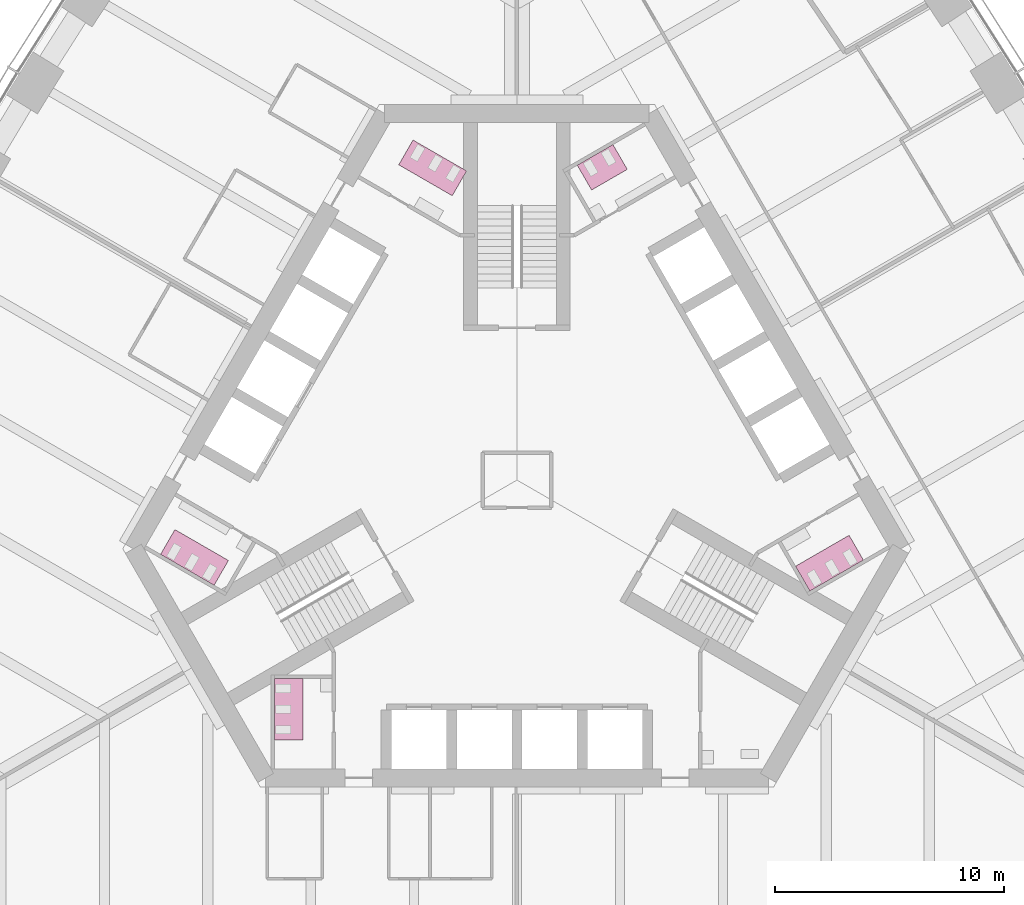
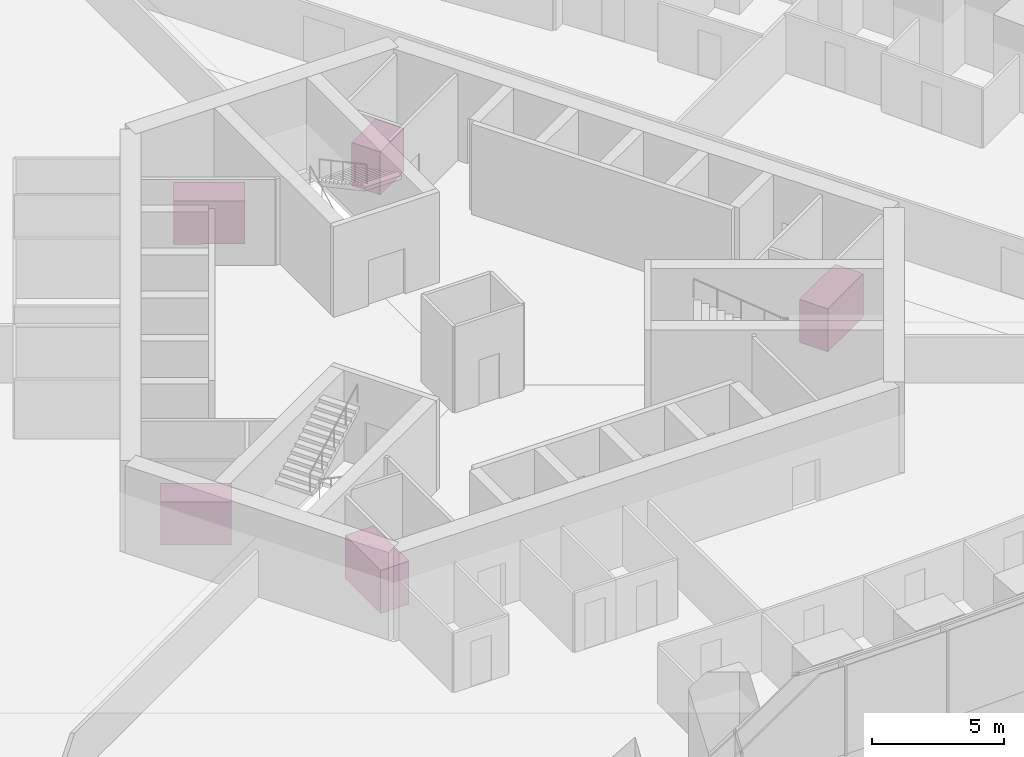
# One storey, part 18 of 18: 5 furniture elements.
"""IFC4 building model written with IfcOpenShell, lengths in metres."""

from ifc_helpers import new_model, si_unit, direction, frame, origin, place, context, subcontext, project, spatial, polyline, outline, extrude, material, type_object, element, save


model = new_model("IFC4")

# Units and contexts
model_context = context("Model", 3, precision=1e-05, world=origin(), true_north=direction((0.0, 1.0)))
body_context = subcontext(model_context, "Body", "Model", "MODEL_VIEW")
ifc_project = project(units=[si_unit("LENGTHUNIT", "METRE"), si_unit("AREAUNIT", "SQUARE_METRE"), si_unit("VOLUMEUNIT", "CUBIC_METRE"), si_unit("PLANEANGLEUNIT", "RADIAN"), si_unit("MASSUNIT", "GRAM", prefix="KILO")], contexts=[model_context])

# Site, building, storey
site_placement = place(None, origin())
site = spatial("IfcSite", under=ifc_project, at=site_placement, CompositionType="ELEMENT")
building_placement = place(site_placement, origin())
building = spatial("IfcBuilding", under=site, at=building_placement, Name="Trefoil Bronze Tower", CompositionType="ELEMENT")
storey_placement = place(building_placement, frame((0.0, 0.0, 66.89990234375)))
storey = spatial("IfcBuildingStorey", under=building, at=storey_placement, Name="L15", CompositionType="ELEMENT", Elevation=66.89990234375)

# Furniture
ifc_material_1 = material(Name="Compact laminate cubicles", Category="plastic")
furniture_type_1 = type_object("IfcFurnitureType", Name="WC cubicle range 2 cubicles", AssemblyPlace="FACTORY", PredefinedType="USERDEFINED", material=ifc_material_1)
furniture_1_placement = place(storey_placement, origin())
element("IfcFurniture", 1, at=furniture_1_placement, inside=storey, type_object=furniture_type_1, Name="WC cubicle range WC (men) L15", ObjectType="WC cubicle range", PredefinedType="USERDEFINED", context=body_context, shape_type="SweptSolid", body=[
    extrude(outline(polyline([(3.256591796875, 12.659423828125), (2.631591796875, 13.741943359375), (4.1904296875, 14.641845703125), (4.8154296875, 13.559326171875), (3.256591796875, 12.659423828125)])), origin(), (0.0, 0.0, 1.0), 2.0),
])
ifc_material_2 = material(Name="Compact laminate cubicles", Category="plastic")
furniture_type_2 = type_object("IfcFurnitureType", Name="WC cubicle range 3 cubicles", AssemblyPlace="FACTORY", PredefinedType="USERDEFINED", material=ifc_material_2)
furniture_2_placement = place(storey_placement, origin())
element("IfcFurniture", 2, at=furniture_2_placement, inside=storey, type_object=furniture_type_2, Name="WC cubicle range WC (women) L15", ObjectType="WC cubicle range", PredefinedType="USERDEFINED", context=body_context, shape_type="SweptSolid", body=[
    extrude(outline(polyline([(12.15869140625, -3.75927734375), (12.78369140625, -4.841796875), (15.121826171875, -3.491943359375), (14.496826171875, -2.409423828125), (12.15869140625, -3.75927734375)])), origin(), (0.0, 0.0, 1.0), 2.0),
])
furniture_3_placement = place(storey_placement, origin())
element("IfcFurniture", 3, at=furniture_3_placement, inside=storey, type_object=furniture_type_2, Name="WC cubicle range WC (women) L15", ObjectType="WC cubicle range", PredefinedType="USERDEFINED", context=body_context, shape_type="SweptSolid", body=[
    extrude(outline(polyline([(-2.82373046875, 12.409423828125), (-2.19873046875, 13.491943359375), (-4.536865234375, 14.841796875), (-5.161865234375, 13.75927734375), (-2.82373046875, 12.409423828125)])), origin(), (0.0, 0.0, 1.0), 2.0),
])
furniture_4_placement = place(storey_placement, origin())
element("IfcFurniture", 4, at=furniture_4_placement, inside=storey, type_object=furniture_type_2, Name="WC cubicle range WC (men) L15", ObjectType="WC cubicle range", PredefinedType="USERDEFINED", context=body_context, shape_type="SweptSolid", body=[
    extrude(outline(polyline([(-12.591552734375, -3.50927734375), (-13.216552734375, -4.591796875), (-15.554931640625, -3.241943359375), (-14.929931640625, -2.159423828125), (-12.591552734375, -3.50927734375)])), origin(), (0.0, 0.0, 1.0), 2.0),
])
furniture_5_placement = place(storey_placement, origin())
element("IfcFurniture", 5, at=furniture_5_placement, inside=storey, type_object=furniture_type_2, Name="WC cubicle range WC (women) L15", ObjectType="WC cubicle range", PredefinedType="USERDEFINED", context=body_context, shape_type="SweptSolid", body=[
    extrude(outline(polyline([(-9.3349609375, -8.64990234375), (-10.5849609375, -8.64990234375), (-10.5849609375, -11.35009765625), (-9.3349609375, -11.35009765625), (-9.3349609375, -8.64990234375)])), origin(), (0.0, 0.0, 1.0), 2.0),
])

save(model, "model.ifc")
